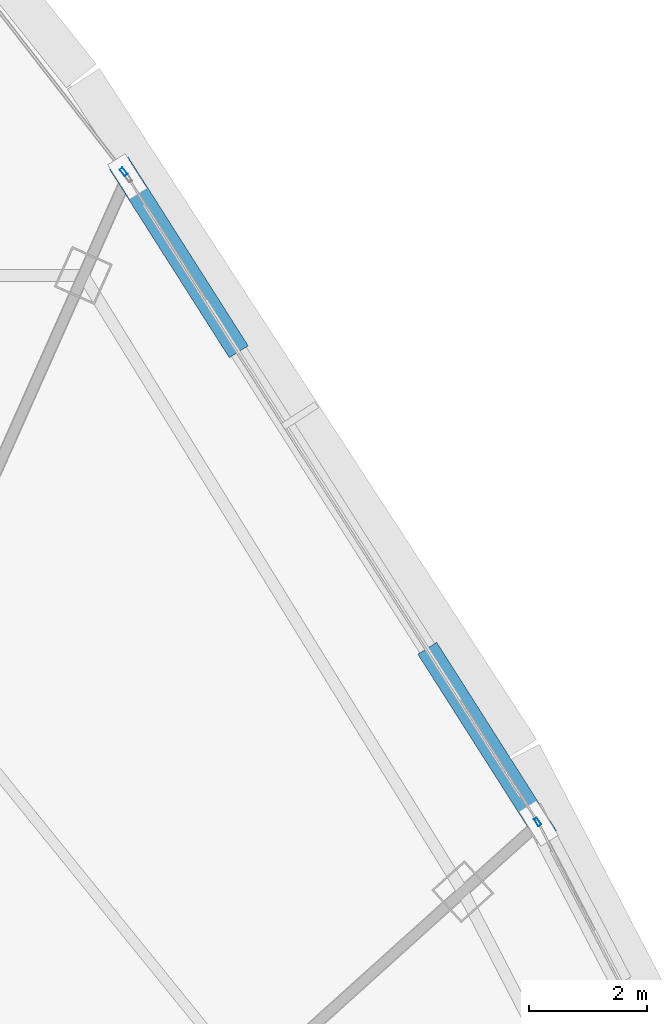
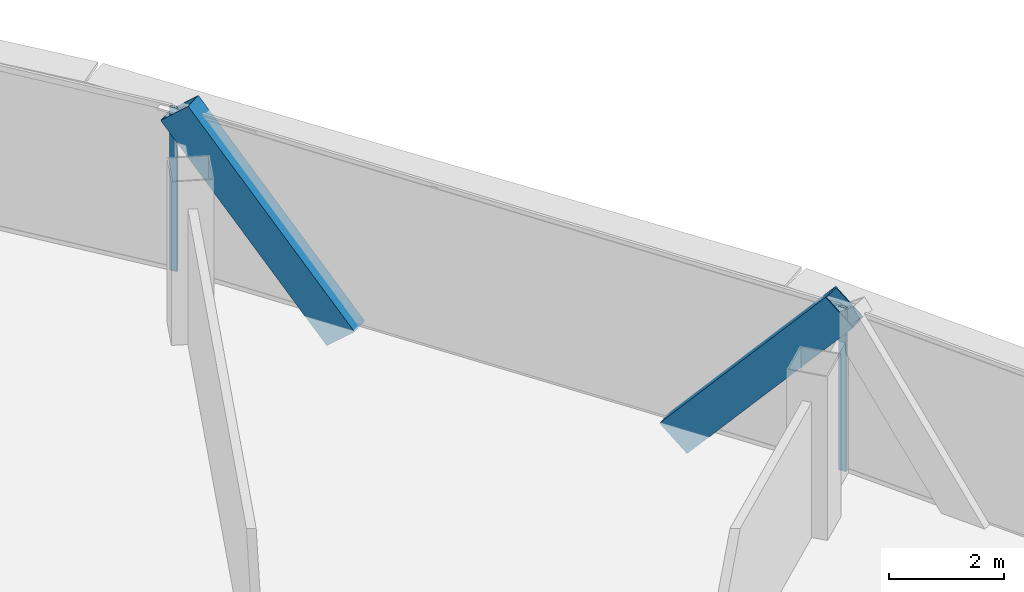
# One storey, part 25 of 35: 4 members, 2 elements without a shape of their own.
"""IFC4 building model written with IfcOpenShell, lengths in metres."""

from ifc_helpers import new_model, si_unit, direction, frame, origin, origin_2d, place, context, subcontext, project, spatial, hollow_rectangle, extrude, source, transform, mapped, material, layer, layer_set, material_profile, profile_set, type_object, element, aggregate, save


model = new_model("IFC4")

# Units and contexts
model_context = context("Model", 3, precision=1e-05, world=origin(), true_north=direction((0.0, 1.0)))
body_context = subcontext(model_context, "Body", "Model", "MODEL_VIEW")
ifc_project = project(units=[si_unit("LENGTHUNIT", "METRE"), si_unit("AREAUNIT", "SQUARE_METRE"), si_unit("VOLUMEUNIT", "CUBIC_METRE"), si_unit("PLANEANGLEUNIT", "RADIAN"), si_unit("MASSUNIT", "GRAM", prefix="KILO"), si_unit("THERMODYNAMICTEMPERATUREUNIT", "KELVIN"), si_unit("POWERUNIT", "WATT")], contexts=[model_context])

# Site, building, storey
site_placement = place(None, origin())
site = spatial("IfcSite", under=ifc_project, at=site_placement, CompositionType="ELEMENT")
building_placement = place(site_placement, origin())
building = spatial("IfcBuilding", under=site, at=building_placement, Name="Yunzhuo Pagoda Commons", CompositionType="ELEMENT")
storey_placement = place(building_placement, frame((0.0, 0.0, 299.93994140625)))
storey = spatial("IfcBuildingStorey", under=building, at=storey_placement, Name="L75", CompositionType="ELEMENT", Elevation=299.93994140625)

# Members
ifc_material_1 = material(Name="Structural steel Q355B", Category="steel")
ifc_material_profile_1 = material_profile(ifc_material_1, hollow_rectangle(XDim=0.3798828125, YDim=0.719970703125, WallThickness=0.02001953125, at=origin_2d()), Name="Structural steel Q355B")
ifc_profile_set_1 = profile_set([ifc_material_profile_1], Name="Structural steel Q355B")
member_type_1 = type_object("IfcMemberType", Name="M-DL3 Brace BOX 720x380x20", PredefinedType="BRACE", material=ifc_profile_set_1)
shared_shape_1 = source(origin(), body_context, "Body", "SweptSolid", [
    extrude(hollow_rectangle(XDim=0.3798828125, YDim=0.719970703125, WallThickness=0.02001953125, at=origin_2d()), origin(), (0.0, 0.0, 1.0), 4.95458984375),
])
for number, where, z_axis, x_axis, name in (
    (1, (66.113525390625, 54.337158203125, -0.260009765625), (0.353151166465, -0.555472736091, 0.752817569591), (0.843889512446, 0.53651699953, 0.0), "L75 facade diamond brace F2.3L"),
    (2, (62.6142578125, 59.841796875, -0.260009765625), (-0.353151166465, 0.555472736091, 0.752817569591), (-0.843889512446, -0.53651699953, 0.0), "L75 facade diamond brace F2.3R"),
):
    element("IfcMember", number, at=place(storey_placement, frame(where, z_axis=z_axis, x_axis=x_axis)), inside=storey, type_object=member_type_1, Name=name, PredefinedType="BRACE", context=body_context, shape_type="MappedRepresentation", body=[
        mapped(shared_shape_1, transform((0.0, 0.0, 0.0), scale=1.0)),
    ])

# Curtain wall, member
ifc_material_2 = material(Name="Anodized aluminium 6063-T6", Category="aluminium")
ifc_layer = layer(ifc_material_2, 0.139892578125)
ifc_layer_set = layer_set([ifc_layer], Name="Anodized aluminium 6063-T6")
curtain_wall_type = type_object("IfcCurtainWallType", Name="CW-HI High-Zone Ribbon Curtain Wall", PredefinedType="NOTDEFINED", material=ifc_layer_set)
curtain_wall_1_placement = place(storey_placement, origin())
curtain_wall_1 = element("IfcCurtainWall", 3, at=curtain_wall_1_placement, inside=storey, type_object=curtain_wall_type, Name="L75 curtain wall CW-L75-F2B4", PredefinedType="NOTDEFINED")
ifc_material_profile_2 = material_profile(ifc_material_2, hollow_rectangle(XDim=0.06005859375, YDim=0.139892578125, WallThickness=0.00341796875, at=origin_2d()), Name="Anodized aluminium 6063-T6")
ifc_profile_set_2 = profile_set([ifc_material_profile_2], Name="Anodized aluminium 6063-T6")
member_type_2 = type_object("IfcMemberType", Name="CW-HI-M Mullion RHS 140x60x3.5", PredefinedType="MULLION", material=ifc_profile_set_2)
shared_shape_2 = source(origin(), body_context, "Body", "SweptSolid", [
    extrude(hollow_rectangle(XDim=0.06005859375, YDim=0.139892578125, WallThickness=0.00341796875, at=origin_2d()), origin(), (0.0, 0.0, 1.0), 3.469970703125),
])
member_1_placement = place(storey_placement, frame((67.84716796875, 51.610107421875, 0.0), z_axis=(0.0, 0.0, 1.0), x_axis=(-0.843909804597, -0.536485080599, 0.0)))
member_1 = element("IfcMember", 4, at=member_1_placement, type_object=member_type_2, Name="CW mullion 1", PredefinedType="MULLION", context=body_context, shape_type="MappedRepresentation", body=[
    mapped(shared_shape_2, transform((0.0, 0.0, 0.0), scale=1.0)),
])
aggregate(curtain_wall_1, [member_1])

curtain_wall_2_placement = place(storey_placement, origin())
curtain_wall_2 = element("IfcCurtainWall", 5, at=curtain_wall_2_placement, inside=storey, type_object=curtain_wall_type, Name="L75 curtain wall CW-L75-F2B5", PredefinedType="NOTDEFINED")
member_2_placement = place(storey_placement, frame((60.800048828125, 62.677001953125, 0.0), z_axis=(0.0, 0.0, 1.0), x_axis=(-0.78943032712, -0.613840173517, 0.0)))
member_2 = element("IfcMember", 6, at=member_2_placement, type_object=member_type_2, Name="CW mullion 1", PredefinedType="MULLION", context=body_context, shape_type="MappedRepresentation", body=[
    mapped(shared_shape_2, transform((0.0, 0.0, 0.0), scale=1.0)),
])
aggregate(curtain_wall_2, [member_2])

save(model, "model.ifc")
